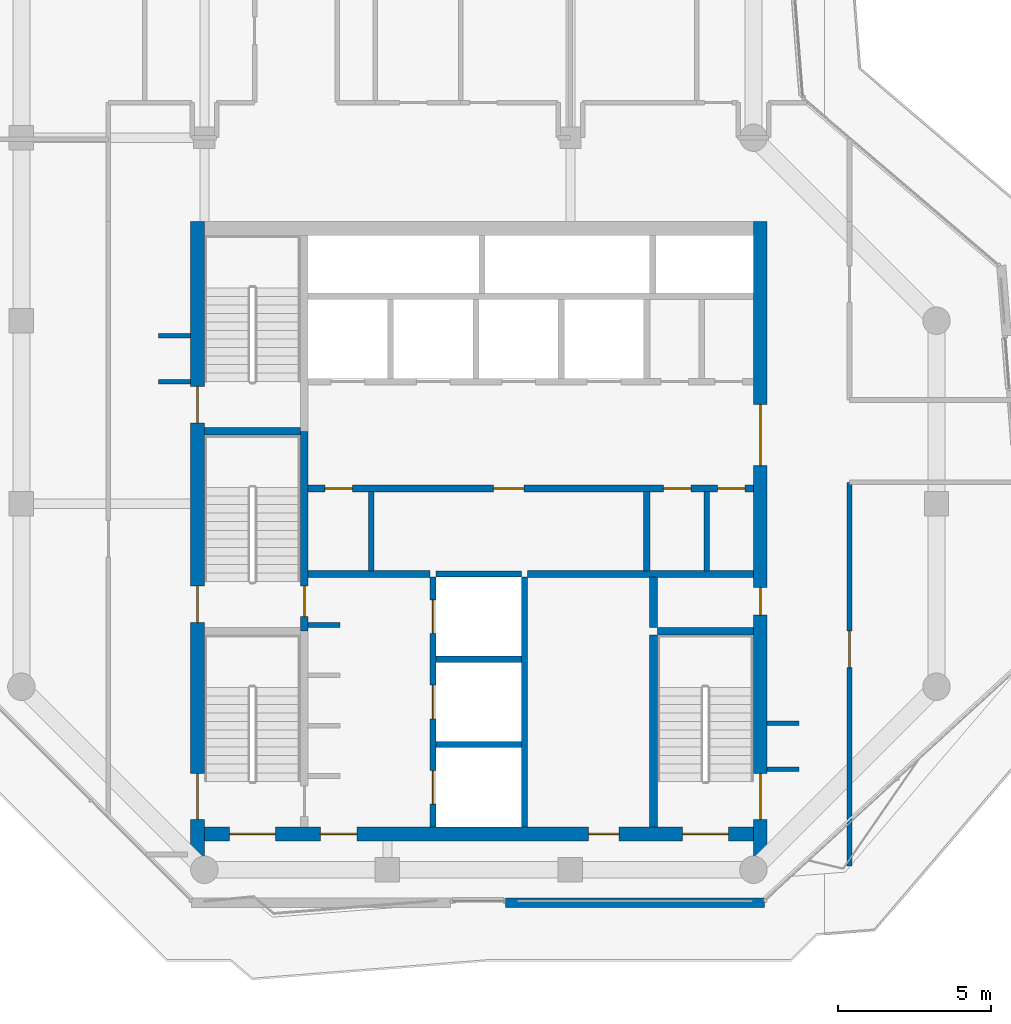
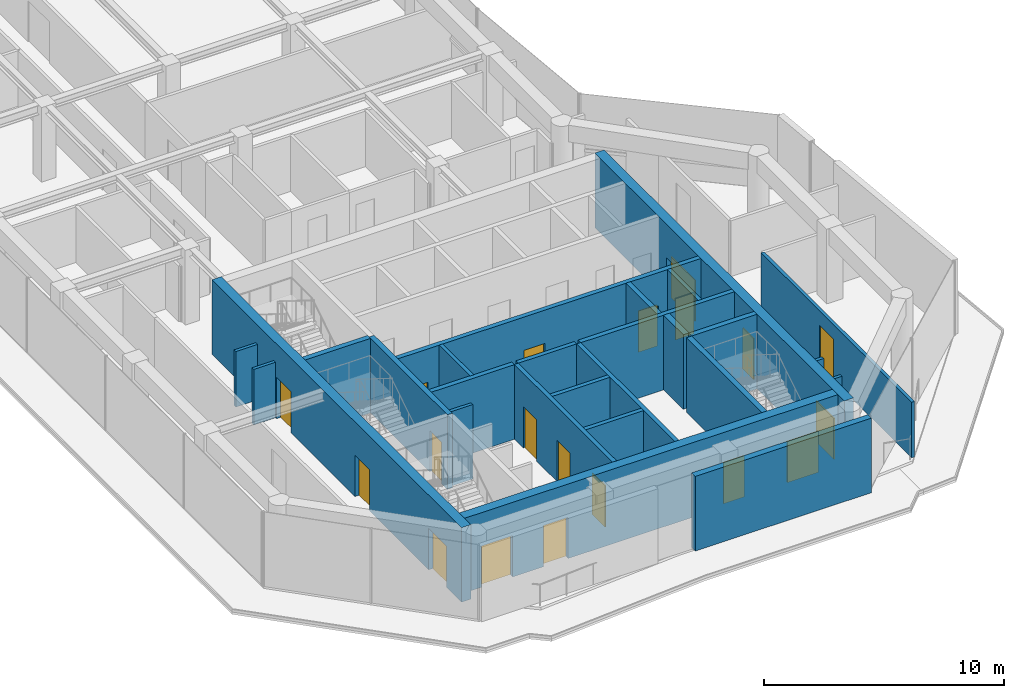
# One storey, part 19 of 23: 26 walls, 19 doors, 19 openings.
"""IFC4 building model written with IfcOpenShell, lengths in metres."""

from ifc_helpers import new_model, si_unit, direction, frame, frame_2d, origin, place, context, subcontext, project, spatial, rectangle, extrude, material, layer, layer_set, type_object, element, fill, save


model = new_model("IFC4")

# Units and contexts
model_context = context("Model", 3, precision=1e-05, world=origin(), true_north=direction((0.0, 1.0)))
body_context = subcontext(model_context, "Body", "Model", "MODEL_VIEW")
ifc_project = project(units=[si_unit("LENGTHUNIT", "METRE"), si_unit("AREAUNIT", "SQUARE_METRE"), si_unit("VOLUMEUNIT", "CUBIC_METRE"), si_unit("PLANEANGLEUNIT", "RADIAN"), si_unit("MASSUNIT", "GRAM", prefix="KILO")], contexts=[model_context])

# Site, building, storey
site_placement = place(None, origin())
site = spatial("IfcSite", under=ifc_project, at=site_placement, CompositionType="ELEMENT")
building_placement = place(site_placement, origin())
building = spatial("IfcBuilding", under=site, at=building_placement, Name="Welwitschia Terrace Campus", CompositionType="ELEMENT")
storey_placement = place(building_placement, frame((0.0, 0.0, 209.60009765625)))
storey = spatial("IfcBuildingStorey", under=building, at=storey_placement, Name="L46", CompositionType="ELEMENT", Elevation=209.60009765625)

# Walls
ifc_material_1 = material(Name="Concrete C32/40", Category="concrete")
ifc_layer_1 = layer(ifc_material_1, 0.175048828125)
ifc_layer_set_1 = layer_set([ifc_layer_1], Name="Concrete C32/40")
wall_type_1 = type_object("IfcWallType", Name="Core partition 175 Concrete C32/40", PredefinedType="PARTITIONING", material=ifc_layer_set_1)
for number, where, z_axis, x_axis, name in (
    (1, (11.47509765625, 13.800048828125, 0.0), (0.0, 0.0, 1.0), (0.0, 1.0, 0.0), "Core partition"),
    (2, (22.469970703125, 13.800048828125, 0.0), (0.0, 0.0, 1.0), (0.0, 1.0, 0.0), "Core partition"),
):
    element("IfcWall", number, at=place(storey_placement, frame(where, z_axis=z_axis, x_axis=x_axis)), inside=storey, type_object=wall_type_1, Name=name, PredefinedType="PARTITIONING", context=body_context, shape_type="SweptSolid", body=[
        extrude(rectangle(XDim=2.599853515625, YDim=0.175048828125, at=frame_2d((1.2998046875, 0.0))), origin(), (0.0, 0.0, 1.0), 3.7998046875),
    ])
ifc_material_2 = material(Name="Concrete C32/40", Category="concrete")
ifc_layer_2 = layer(ifc_material_2, 0.22509765625)
ifc_layer_set_2 = layer_set([ifc_layer_2], Name="Concrete C32/40")
wall_type_2 = type_object("IfcWallType", Name="Core partition 225 Concrete C32/40", PredefinedType="PARTITIONING", material=ifc_layer_set_2)
wall_1_placement = place(storey_placement, frame((9.39990234375, 13.699951171875, 0.0), z_axis=(0.0, 0.0, 1.0), x_axis=(1.0, 0.0, 0.0)))
element("IfcWall", 3, at=wall_1_placement, inside=storey, type_object=wall_type_2, Name="Core partition", PredefinedType="PARTITIONING", context=body_context, shape_type="SweptSolid", body=[
    extrude(rectangle(XDim=4.0, YDim=0.22509765625, at=frame_2d((2.0, 0.0))), origin(), (0.0, 0.0, 1.0), 3.7998046875),
])
wall_2_placement = place(storey_placement, frame((16.60009765625, 13.699951171875, 0.0), z_axis=(0.0, 0.0, 1.0), x_axis=(1.0, 0.0, 0.0)))
element("IfcWall", 4, at=wall_2_placement, inside=storey, type_object=wall_type_2, Name="Core partition", PredefinedType="PARTITIONING", context=body_context, shape_type="SweptSolid", body=[
    extrude(rectangle(XDim=7.39990234375, YDim=0.22509765625, at=frame_2d((3.699951171875, 0.0))), origin(), (0.0, 0.0, 1.0), 3.7998046875),
])

# Wall, openings, doors
wall_3_placement = place(storey_placement, frame((9.39990234375, 16.5, 0.0), z_axis=(0.0, 0.0, 1.0), x_axis=(1.0, 0.0, 0.0)))
wall_3 = element("IfcWall", 5, at=wall_3_placement, inside=storey, type_object=wall_type_2, Name="Core partition", PredefinedType="PARTITIONING", context=body_context, shape_type="SweptSolid", body=[
    extrude(rectangle(XDim=14.60009765625, YDim=0.22509765625, at=frame_2d((7.300048828125, 0.0))), origin(), (0.0, 0.0, 1.0), 3.7998046875),
])
opening_1_placement = place(wall_3_placement, frame((0.550048828125, 0.0, 0.0)))
opening_1 = element("IfcOpeningElement", 6, at=opening_1_placement, cuts=wall_3, Name="Opening DR09", PredefinedType="OPENING", context=body_context, shape_type="SweptSolid", body=[
    extrude(rectangle(XDim=0.89990234375, YDim=2.10009765625, at=frame_2d((0.449951171875, 1.050048828125))), frame((0.0, 0.12255859375, 0.0), z_axis=(0.0, -1.0, 0.0), x_axis=(1.0, 0.0, 0.0)), (0.0, 0.0, 1.0), 0.2451171875),
])
opening_2_placement = place(wall_3_placement, frame((6.074951171875, 0.0, 0.0)))
opening_2 = element("IfcOpeningElement", 7, at=opening_2_placement, cuts=wall_3, Name="Opening DR10", PredefinedType="OPENING", context=body_context, shape_type="SweptSolid", body=[
    extrude(rectangle(XDim=1.0, YDim=2.10009765625, at=frame_2d((0.5, 1.050048828125))), frame((0.0, 0.12255859375, 0.0), z_axis=(0.0, -1.0, 0.0), x_axis=(1.0, 0.0, 0.0)), (0.0, 0.0, 1.0), 0.2451171875),
])
opening_3_placement = place(wall_3_placement, frame((11.6474609375, 0.0, 0.0)))
opening_3 = element("IfcOpeningElement", 8, at=opening_3_placement, cuts=wall_3, Name="Opening DR09", PredefinedType="OPENING", context=body_context, shape_type="SweptSolid", body=[
    extrude(rectangle(XDim=0.89990234375, YDim=2.10009765625, at=frame_2d((0.449951171875, 1.050048828125))), frame((0.0, 0.12255859375, 0.0), z_axis=(0.0, -1.0, 0.0), x_axis=(1.0, 0.0, 0.0)), (0.0, 0.0, 1.0), 0.2451171875),
])
opening_4_placement = place(wall_3_placement, frame((13.422607421875, 0.0, 0.0)))
opening_4 = element("IfcOpeningElement", 9, at=opening_4_placement, cuts=wall_3, Name="Opening DR09", PredefinedType="OPENING", context=body_context, shape_type="SweptSolid", body=[
    extrude(rectangle(XDim=0.89990234375, YDim=2.10009765625, at=frame_2d((0.449951171875, 1.050048828125))), frame((0.0, 0.12255859375, 0.0), z_axis=(0.0, -1.0, 0.0), x_axis=(1.0, 0.0, 0.0)), (0.0, 0.0, 1.0), 0.2451171875),
])
ifc_material_3 = material(Name="Steel S275", Category="steel")
door_type_1 = type_object("IfcDoorType", Name="Core door DR09", OperationType="SINGLE_SWING_LEFT", PredefinedType="DOOR", material=ifc_material_3)
door_1_placement = place(opening_1_placement, origin())
door_1 = element("IfcDoor", 10, at=door_1_placement, inside=storey, type_object=door_type_1, Name="Door BAYL1-D", OperationType="SINGLE_SWING_LEFT", OverallHeight=2.10009765625, OverallWidth=0.89990234375, PredefinedType="DOOR", context=body_context, shape_type="SweptSolid", body=[
    extrude(rectangle(XDim=0.89990234375, YDim=2.10009765625, at=frame_2d((0.449951171875, 1.050048828125))), frame((0.0, 0.02490234375, 0.0), z_axis=(0.0, -1.0, 0.0), x_axis=(1.0, 0.0, 0.0)), (0.0, 0.0, 1.0), 0.050048828125),
])
fill(opening_1, door_1)
door_2_placement = place(opening_3_placement, origin())
door_2 = element("IfcDoor", 11, at=door_2_placement, inside=storey, type_object=door_type_1, Name="Door EL1-D", OperationType="SINGLE_SWING_RIGHT", OverallHeight=2.10009765625, OverallWidth=0.89990234375, PredefinedType="DOOR", context=body_context, shape_type="SweptSolid", body=[
    extrude(rectangle(XDim=0.89990234375, YDim=2.10009765625, at=frame_2d((0.449951171875, 1.050048828125))), frame((0.0, 0.02490234375, 0.0), z_axis=(0.0, -1.0, 0.0), x_axis=(1.0, 0.0, 0.0)), (0.0, 0.0, 1.0), 0.050048828125),
])
fill(opening_3, door_2)
door_3_placement = place(opening_4_placement, origin())
door_3 = element("IfcDoor", 12, at=door_3_placement, inside=storey, type_object=door_type_1, Name="Door EL2-D", OperationType="SINGLE_SWING_RIGHT", OverallHeight=2.10009765625, OverallWidth=0.89990234375, PredefinedType="DOOR", context=body_context, shape_type="SweptSolid", body=[
    extrude(rectangle(XDim=0.89990234375, YDim=2.10009765625, at=frame_2d((0.449951171875, 1.050048828125))), frame((0.0, 0.02490234375, 0.0), z_axis=(0.0, -1.0, 0.0), x_axis=(1.0, 0.0, 0.0)), (0.0, 0.0, 1.0), 0.050048828125),
])
fill(opening_4, door_3)
ifc_material_4 = material(Name="Steel S275", Category="steel")
door_type_2 = type_object("IfcDoorType", Name="Core door DR10", OperationType="SINGLE_SWING_LEFT", PredefinedType="DOOR", material=ifc_material_4)
door_4_placement = place(opening_2_placement, origin())
door_4 = element("IfcDoor", 13, at=door_4_placement, inside=storey, type_object=door_type_2, Name="Door BAYL2-D", OperationType="SINGLE_SWING_LEFT", OverallHeight=2.10009765625, OverallWidth=1.0, PredefinedType="DOOR", context=body_context, shape_type="SweptSolid", body=[
    extrude(rectangle(XDim=1.0, YDim=2.10009765625, at=frame_2d((0.5, 1.050048828125))), frame((0.0, 0.02490234375, 0.0), z_axis=(0.0, -1.0, 0.0), x_axis=(1.0, 0.0, 0.0)), (0.0, 0.0, 1.0), 0.050048828125),
])
fill(opening_2, door_4)

# Walls
wall_4_placement = place(storey_placement, frame((20.5, 13.800048828125, 0.0), z_axis=(0.0, 0.0, 1.0), x_axis=(0.0, 1.0, 0.0)))
element("IfcWall", 14, at=wall_4_placement, inside=storey, type_object=wall_type_2, Name="Core partition", PredefinedType="PARTITIONING", context=body_context, shape_type="SweptSolid", body=[
    extrude(rectangle(XDim=2.599853515625, YDim=0.22509765625, at=frame_2d((1.2998046875, 0.0))), origin(), (0.0, 0.0, 1.0), 3.7998046875),
])
ifc_material_5 = material(Name="Concrete C32/40", Category="concrete")
ifc_layer_3 = layer(ifc_material_5, 0.27490234375)
ifc_layer_set_3 = layer_set([ifc_layer_3], Name="Concrete C32/40")
wall_type_3 = type_object("IfcWallType", Name="Core partition 275 Concrete C32/40", PredefinedType="PARTITIONING", material=ifc_layer_set_3)
wall_5_placement = place(storey_placement, frame((20.72509765625, 11.949951171875, 0.0), z_axis=(0.0, 0.0, 1.0), x_axis=(0.0, 1.0, 0.0)))
element("IfcWall", 15, at=wall_5_placement, inside=storey, type_object=wall_type_3, Name="Core partition", PredefinedType="PARTITIONING", context=body_context, shape_type="SweptSolid", body=[
    extrude(rectangle(XDim=1.650146484375, YDim=0.27490234375, at=frame_2d((0.8251953125, 0.0))), origin(), (0.0, 0.0, 1.0), 3.7998046875),
])
ifc_material_6 = material(Name="Concrete C50/60", Category="concrete")
ifc_layer_4 = layer(ifc_material_6, 0.14990234375)
ifc_layer_set_4 = layer_set([ifc_layer_4], Name="Concrete C50/60")
wall_type_4 = type_object("IfcWallType", Name="Core wall 150 Concrete C50/60", PredefinedType="SHEAR", material=ifc_layer_set_4)
wall_6_placement = place(storey_placement, frame((9.39990234375, 12.02490234375, 0.0), z_axis=(0.0, 0.0, 1.0), x_axis=(1.0, 0.0, 0.0)))
element("IfcWall", 16, at=wall_6_placement, inside=storey, type_object=wall_type_4, Name="Core wall", PredefinedType="SHEAR", context=body_context, shape_type="SweptSolid", body=[
    extrude(rectangle(XDim=1.050048828125, YDim=0.14990234375, at=frame_2d((0.52490234375, 0.0))), origin(), (0.0, 0.0, 1.0), 3.7998046875),
])
ifc_material_7 = material(Name="Concrete C50/60", Category="concrete")
ifc_layer_5 = layer(ifc_material_7, 0.199951171875)
ifc_layer_set_5 = layer_set([ifc_layer_5], Name="Concrete C50/60")
wall_type_5 = type_object("IfcWallType", Name="Core wall 200 Concrete C50/60", PredefinedType="SHEAR", material=ifc_layer_set_5)
for number, where, z_axis, x_axis, name in (
    (17, (13.60009765625, 8.10009765625, 0.0), (0.0, 0.0, 1.0), (1.0, 0.0, 0.0), "Core wall"),
    (18, (13.60009765625, 10.89990234375, 0.0), (0.0, 0.0, 1.0), (1.0, 0.0, 0.0), "Core wall"),
    (19, (13.60009765625, 13.699951171875, 0.0), (0.0, 0.0, 1.0), (1.0, 0.0, 0.0), "Core wall"),
):
    element("IfcWall", number, at=place(storey_placement, frame(where, z_axis=z_axis, x_axis=x_axis)), inside=storey, type_object=wall_type_5, Name=name, PredefinedType="SHEAR", context=body_context, shape_type="SweptSolid", body=[
        extrude(rectangle(XDim=2.7998046875, YDim=0.199951171875, at=frame_2d((1.39990234375, 0.0))), origin(), (0.0, 0.0, 1.0), 3.7998046875),
    ])

# Wall, openings, doors
wall_7_placement = place(storey_placement, frame((13.5, 5.39990234375, 0.0), z_axis=(0.0, 0.0, 1.0), x_axis=(0.0, 1.0, 0.0)))
wall_7 = element("IfcWall", 20, at=wall_7_placement, inside=storey, type_object=wall_type_5, Name="Core wall", PredefinedType="SHEAR", context=body_context, shape_type="SweptSolid", body=[
    extrude(rectangle(XDim=8.2001953125, YDim=0.199951171875, at=frame_2d((4.10009765625, 0.0))), origin(), (0.0, 0.0, 1.0), 3.7998046875),
])
opening_5_placement = place(wall_7_placement, frame((0.75, 0.0, 0.0)))
opening_5 = element("IfcOpeningElement", 21, at=opening_5_placement, cuts=wall_7, Name="Opening LD", PredefinedType="OPENING", context=body_context, shape_type="SweptSolid", body=[
    extrude(rectangle(XDim=1.10009765625, YDim=2.10009765625, at=frame_2d((0.550048828125, 1.050048828125))), frame((0.0, 0.10986328125, 0.0), z_axis=(0.0, -1.0, 0.0), x_axis=(1.0, 0.0, 0.0)), (0.0, 0.0, 1.0), 0.219970703125),
])
opening_6_placement = place(wall_7_placement, frame((3.550048828125, 0.0, 0.0)))
opening_6 = element("IfcOpeningElement", 22, at=opening_6_placement, cuts=wall_7, Name="Opening LD", PredefinedType="OPENING", context=body_context, shape_type="SweptSolid", body=[
    extrude(rectangle(XDim=1.10009765625, YDim=2.10009765625, at=frame_2d((0.550048828125, 1.050048828125))), frame((0.0, 0.10986328125, 0.0), z_axis=(0.0, -1.0, 0.0), x_axis=(1.0, 0.0, 0.0)), (0.0, 0.0, 1.0), 0.219970703125),
])
opening_7_placement = place(wall_7_placement, frame((6.35009765625, 0.0, 0.0)))
opening_7 = element("IfcOpeningElement", 23, at=opening_7_placement, cuts=wall_7, Name="Opening LD", PredefinedType="OPENING", context=body_context, shape_type="SweptSolid", body=[
    extrude(rectangle(XDim=1.10009765625, YDim=2.10009765625, at=frame_2d((0.550048828125, 1.050048828125))), frame((0.0, 0.10986328125, 0.0), z_axis=(0.0, -1.0, 0.0), x_axis=(1.0, 0.0, 0.0)), (0.0, 0.0, 1.0), 0.219970703125),
])
ifc_material_8 = material(Name="Stainless steel 304", Category="steel")
door_type_3 = type_object("IfcDoorType", Name="Lift landing door", OperationType="DOUBLE_DOOR_SLIDING", PredefinedType="DOOR", material=ifc_material_8)
door_5_placement = place(opening_5_placement, origin())
door_5 = element("IfcDoor", 24, at=door_5_placement, inside=storey, type_object=door_type_3, Name="Landing door FF1", OperationType="DOUBLE_DOOR_SLIDING", OverallHeight=2.10009765625, OverallWidth=1.10009765625, PredefinedType="DOOR", context=body_context, shape_type="SweptSolid", body=[
    extrude(rectangle(XDim=1.10009765625, YDim=2.10009765625, at=frame_2d((0.550048828125, 1.050048828125))), frame((0.0, 0.02490234375, 0.0), z_axis=(0.0, -1.0, 0.0), x_axis=(1.0, 0.0, 0.0)), (0.0, 0.0, 1.0), 0.050048828125),
])
fill(opening_5, door_5)
door_6_placement = place(opening_6_placement, origin())
door_6 = element("IfcDoor", 25, at=door_6_placement, inside=storey, type_object=door_type_3, Name="Landing door FF2", OperationType="DOUBLE_DOOR_SLIDING", OverallHeight=2.10009765625, OverallWidth=1.10009765625, PredefinedType="DOOR", context=body_context, shape_type="SweptSolid", body=[
    extrude(rectangle(XDim=1.10009765625, YDim=2.10009765625, at=frame_2d((0.550048828125, 1.050048828125))), frame((0.0, 0.02490234375, 0.0), z_axis=(0.0, -1.0, 0.0), x_axis=(1.0, 0.0, 0.0)), (0.0, 0.0, 1.0), 0.050048828125),
])
fill(opening_6, door_6)
door_7_placement = place(opening_7_placement, origin())
door_7 = element("IfcDoor", 26, at=door_7_placement, inside=storey, type_object=door_type_3, Name="Landing door SV1", OperationType="DOUBLE_DOOR_SLIDING", OverallHeight=2.10009765625, OverallWidth=1.10009765625, PredefinedType="DOOR", context=body_context, shape_type="SweptSolid", body=[
    extrude(rectangle(XDim=1.10009765625, YDim=2.10009765625, at=frame_2d((0.550048828125, 1.050048828125))), frame((0.0, 0.02490234375, 0.0), z_axis=(0.0, -1.0, 0.0), x_axis=(1.0, 0.0, 0.0)), (0.0, 0.0, 1.0), 0.050048828125),
])
fill(opening_7, door_7)

# Walls
wall_8_placement = place(storey_placement, frame((16.5, 5.39990234375, 0.0), z_axis=(0.0, 0.0, 1.0), x_axis=(0.0, 1.0, 0.0)))
element("IfcWall", 27, at=wall_8_placement, inside=storey, type_object=wall_type_5, Name="Core wall", PredefinedType="SHEAR", context=body_context, shape_type="SweptSolid", body=[
    extrude(rectangle(XDim=8.2001953125, YDim=0.199951171875, at=frame_2d((4.10009765625, 0.0))), origin(), (0.0, 0.0, 1.0), 3.7998046875),
])
ifc_material_9 = material(Name="Concrete C50/60", Category="concrete")
ifc_layer_6 = layer(ifc_material_9, 0.25)
ifc_layer_set_6 = layer_set([ifc_layer_6], Name="Concrete C50/60")
wall_type_6 = type_object("IfcWallType", Name="Core wall 250 Concrete C50/60", PredefinedType="SHEAR", material=ifc_layer_set_6)
for number, where, z_axis, x_axis, name in (
    (28, (20.85009765625, 11.824951171875, 0.0), (0.0, 0.0, 1.0), (1.0, 0.0, 0.0), "Core wall"),
    (29, (6.0, 18.375, 0.0), (0.0, 0.0, 1.0), (1.0, 0.0, 0.0), "Core wall"),
):
    element("IfcWall", number, at=place(storey_placement, frame(where, z_axis=z_axis, x_axis=x_axis)), inside=storey, type_object=wall_type_6, Name=name, PredefinedType="SHEAR", context=body_context, shape_type="SweptSolid", body=[
        extrude(rectangle(XDim=3.14990234375, YDim=0.25, at=frame_2d((1.574951171875, 0.0))), origin(), (0.0, 0.0, 1.0), 3.7998046875),
    ])

# Wall, opening, door
wall_9_placement = place(storey_placement, frame((9.27490234375, 18.375, 0.0), z_axis=(0.0, 0.0, 1.0), x_axis=(0.0, -1.0, 0.0)))
wall_9 = element("IfcWall", 30, at=wall_9_placement, inside=storey, type_object=wall_type_6, Name="Core wall", PredefinedType="SHEAR", context=body_context, shape_type="SweptSolid", body=[
    extrude(rectangle(XDim=6.550048828125, YDim=0.25, at=frame_2d((3.27490234375, 0.0))), origin(), (0.0, 0.0, 1.0), 3.7998046875),
])
opening_8_placement = place(wall_9_placement, frame((5.074951171875, 0.0, 0.0)))
opening_8 = element("IfcOpeningElement", 31, at=opening_8_placement, cuts=wall_9, Name="Opening DS10", PredefinedType="OPENING", context=body_context, shape_type="SweptSolid", body=[
    extrude(rectangle(XDim=1.0, YDim=2.10009765625, at=frame_2d((0.5, 1.050048828125))), frame((0.0, 0.135009765625, 0.0), z_axis=(0.0, -1.0, 0.0), x_axis=(1.0, 0.0, 0.0)), (0.0, 0.0, 1.0), 0.27001953125),
])
ifc_material_10 = material(Name="Steel S275", Category="steel")
door_type_4 = type_object("IfcDoorType", Name="Core door DS10", OperationType="SINGLE_SWING_LEFT", PredefinedType="DOOR", material=ifc_material_10)
door_8_placement = place(opening_8_placement, origin())
door_8 = element("IfcDoor", 32, at=door_8_placement, inside=storey, type_object=door_type_4, Name="Door S3-FL", OperationType="SINGLE_SWING_RIGHT", OverallHeight=2.10009765625, OverallWidth=1.0, PredefinedType="DOOR", context=body_context, shape_type="SweptSolid", body=[
    extrude(rectangle(XDim=1.0, YDim=2.10009765625, at=frame_2d((0.5, 1.050048828125))), frame((0.0, 0.02490234375, 0.0), z_axis=(0.0, -1.0, 0.0), x_axis=(1.0, 0.0, 0.0)), (0.0, 0.0, 1.0), 0.050048828125),
])
fill(opening_8, door_8)

# Wall
wall_10_placement = place(storey_placement, frame((20.72509765625, 5.39990234375, 0.0), z_axis=(0.0, 0.0, 1.0), x_axis=(0.0, 1.0, 0.0)))
element("IfcWall", 33, at=wall_10_placement, inside=storey, type_object=wall_type_6, Name="Core wall", PredefinedType="SHEAR", context=body_context, shape_type="SweptSolid", body=[
    extrude(rectangle(XDim=6.300048828125, YDim=0.25, at=frame_2d((3.14990234375, 0.0))), origin(), (0.0, 0.0, 1.0), 3.7998046875),
])

# Wall, openings, doors
ifc_material_11 = material(Name="Concrete C60/75", Category="concrete")
ifc_layer_7 = layer(ifc_material_11, 0.449951171875)
ifc_layer_set_7 = layer_set([ifc_layer_7], Name="Concrete C60/75")
wall_type_7 = type_object("IfcWallType", Name="Core wall 450 Concrete C60/75", PredefinedType="SHEAR", material=ifc_layer_set_7)
wall_11_placement = place(storey_placement, frame((5.77490234375, 4.419921875, 0.0), z_axis=(0.0, 0.0, 1.0), x_axis=(0.0, 1.0, 0.0)))
wall_11 = element("IfcWall", 34, at=wall_11_placement, inside=storey, type_object=wall_type_7, Name="Core outer wall", PredefinedType="SHEAR", context=body_context, shape_type="SweptSolid", body=[
    extrude(rectangle(XDim=20.830078125, YDim=0.449951171875, at=frame_2d((10.4150390625, 0.0))), origin(), (0.0, 0.0, 1.0), 3.7998046875),
])
opening_9_placement = place(wall_11_placement, frame((1.22998046875, 0.0, 0.0)))
opening_9 = element("IfcOpeningElement", 35, at=opening_9_placement, cuts=wall_11, Name="Opening DS15", PredefinedType="OPENING", context=body_context, shape_type="SweptSolid", body=[
    extrude(rectangle(XDim=1.5, YDim=2.10009765625, at=frame_2d((0.75, 1.050048828125))), frame((0.0, 0.23486328125, 0.0), z_axis=(0.0, -1.0, 0.0), x_axis=(1.0, 0.0, 0.0)), (0.0, 0.0, 1.0), 0.469970703125),
])
opening_10_placement = place(wall_11_placement, frame((7.679931640625, 0.0, 0.0)))
opening_10 = element("IfcOpeningElement", 36, at=opening_10_placement, cuts=wall_11, Name="Opening DS12", PredefinedType="OPENING", context=body_context, shape_type="SweptSolid", body=[
    extrude(rectangle(XDim=1.199951171875, YDim=2.10009765625, at=frame_2d((0.60009765625, 1.050048828125))), frame((0.0, 0.23486328125, 0.0), z_axis=(0.0, -1.0, 0.0), x_axis=(1.0, 0.0, 0.0)), (0.0, 0.0, 1.0), 0.469970703125),
])
opening_11_placement = place(wall_11_placement, frame((14.22998046875, 0.0, 0.0)))
opening_11 = element("IfcOpeningElement", 37, at=opening_11_placement, cuts=wall_11, Name="Opening DS12", PredefinedType="OPENING", context=body_context, shape_type="SweptSolid", body=[
    extrude(rectangle(XDim=1.199951171875, YDim=2.10009765625, at=frame_2d((0.60009765625, 1.050048828125))), frame((0.0, 0.23486328125, 0.0), z_axis=(0.0, -1.0, 0.0), x_axis=(1.0, 0.0, 0.0)), (0.0, 0.0, 1.0), 0.469970703125),
])
ifc_material_12 = material(Name="Steel S275", Category="steel")
door_type_5 = type_object("IfcDoorType", Name="Core door DS12", OperationType="SINGLE_SWING_LEFT", PredefinedType="DOOR", material=ifc_material_12)
door_9_placement = place(opening_10_placement, origin())
door_9 = element("IfcDoor", 38, at=door_9_placement, inside=storey, type_object=door_type_5, Name="Door S3-out", OperationType="SINGLE_SWING_LEFT", OverallHeight=2.10009765625, OverallWidth=1.199951171875, PredefinedType="DOOR", context=body_context, shape_type="SweptSolid", body=[
    extrude(rectangle(XDim=1.199951171875, YDim=2.10009765625, at=frame_2d((0.60009765625, 1.050048828125))), frame((0.0, 0.02490234375, 0.0), z_axis=(0.0, -1.0, 0.0), x_axis=(1.0, 0.0, 0.0)), (0.0, 0.0, 1.0), 0.050048828125),
])
fill(opening_10, door_9)
door_10_placement = place(opening_11_placement, origin())
door_10 = element("IfcDoor", 39, at=door_10_placement, inside=storey, type_object=door_type_5, Name="Door S4-out", OperationType="SINGLE_SWING_RIGHT", OverallHeight=2.10009765625, OverallWidth=1.199951171875, PredefinedType="DOOR", context=body_context, shape_type="SweptSolid", body=[
    extrude(rectangle(XDim=1.199951171875, YDim=2.10009765625, at=frame_2d((0.60009765625, 1.050048828125))), frame((0.0, 0.02490234375, 0.0), z_axis=(0.0, -1.0, 0.0), x_axis=(1.0, 0.0, 0.0)), (0.0, 0.0, 1.0), 0.050048828125),
])
fill(opening_11, door_10)
ifc_material_13 = material(Name="Steel S275", Category="steel")
door_type_6 = type_object("IfcDoorType", Name="Core door DS15", OperationType="DOUBLE_DOOR_SINGLE_SWING", PredefinedType="DOOR", material=ifc_material_13)
door_11_placement = place(opening_9_placement, origin())
door_11 = element("IfcDoor", 40, at=door_11_placement, inside=storey, type_object=door_type_6, Name="Door S1-out", OperationType="DOUBLE_DOOR_SINGLE_SWING", OverallHeight=2.10009765625, OverallWidth=1.5, PredefinedType="DOOR", context=body_context, shape_type="SweptSolid", body=[
    extrude(rectangle(XDim=1.5, YDim=2.10009765625, at=frame_2d((0.75, 1.050048828125))), frame((0.0, 0.02490234375, 0.0), z_axis=(0.0, -1.0, 0.0), x_axis=(1.0, 0.0, 0.0)), (0.0, 0.0, 1.0), 0.050048828125),
])
fill(opening_9, door_11)

wall_12_placement = place(storey_placement, frame((24.22509765625, 25.25, 0.0), z_axis=(0.0, 0.0, 1.0), x_axis=(0.0, -1.0, 0.0)))
wall_12 = element("IfcWall", 41, at=wall_12_placement, inside=storey, type_object=wall_type_7, Name="Core outer wall", PredefinedType="SHEAR", context=body_context, shape_type="SweptSolid", body=[
    extrude(rectangle(XDim=20.830078125, YDim=0.449951171875, at=frame_2d((10.4150390625, 0.0))), origin(), (0.0, 0.0, 1.0), 3.7998046875),
])
opening_12_placement = place(wall_12_placement, frame((18.10009765625, 0.0, 0.0)))
opening_12 = element("IfcOpeningElement", 42, at=opening_12_placement, cuts=wall_12, Name="Opening DS15", PredefinedType="OPENING", context=body_context, shape_type="SweptSolid", body=[
    extrude(rectangle(XDim=1.5, YDim=2.10009765625, at=frame_2d((0.75, 1.050048828125))), frame((0.0, 0.23486328125, 0.0), z_axis=(0.0, -1.0, 0.0), x_axis=(1.0, 0.0, 0.0)), (0.0, 0.0, 1.0), 0.469970703125),
])
opening_13_placement = place(wall_12_placement, frame((12.0, 0.0, 0.0)))
opening_13 = element("IfcOpeningElement", 43, at=opening_13_placement, cuts=wall_12, Name="Opening DR09", PredefinedType="OPENING", context=body_context, shape_type="SweptSolid", body=[
    extrude(rectangle(XDim=0.89990234375, YDim=2.10009765625, at=frame_2d((0.449951171875, 1.050048828125))), frame((0.0, 0.23486328125, 0.0), z_axis=(0.0, -1.0, 0.0), x_axis=(1.0, 0.0, 0.0)), (0.0, 0.0, 1.0), 0.469970703125),
])
opening_14_placement = place(wall_12_placement, frame((6.0, 0.0, 0.0)))
opening_14 = element("IfcOpeningElement", 44, at=opening_14_placement, cuts=wall_12, Name="Opening DL20", PredefinedType="OPENING", context=body_context, shape_type="SweptSolid", body=[
    extrude(rectangle(XDim=2.0, YDim=2.10009765625, at=frame_2d((1.0, 1.050048828125))), frame((0.0, 0.23486328125, 0.0), z_axis=(0.0, -1.0, 0.0), x_axis=(1.0, 0.0, 0.0)), (0.0, 0.0, 1.0), 0.469970703125),
])
ifc_material_14 = material(Name="Steel S275", Category="steel")
door_type_7 = type_object("IfcDoorType", Name="Core door DL20", OperationType="DOUBLE_DOOR_SINGLE_SWING", PredefinedType="DOOR", material=ifc_material_14)
door_12_placement = place(opening_14_placement, origin())
door_12 = element("IfcDoor", 45, at=door_12_placement, inside=storey, type_object=door_type_7, Name="Door LOBBY-out", OperationType="DOUBLE_DOOR_SINGLE_SWING", OverallHeight=2.10009765625, OverallWidth=2.0, PredefinedType="DOOR", context=body_context, shape_type="SweptSolid", body=[
    extrude(rectangle(XDim=2.0, YDim=2.10009765625, at=frame_2d((1.0, 1.050048828125))), frame((0.0, 0.02490234375, 0.0), z_axis=(0.0, -1.0, 0.0), x_axis=(1.0, 0.0, 0.0)), (0.0, 0.0, 1.0), 0.050048828125),
])
fill(opening_14, door_12)
door_13_placement = place(opening_13_placement, origin())
door_13 = element("IfcDoor", 46, at=door_13_placement, inside=storey, type_object=door_type_1, Name="Door F1B-out", OperationType="SINGLE_SWING_RIGHT", OverallHeight=2.10009765625, OverallWidth=0.89990234375, PredefinedType="DOOR", context=body_context, shape_type="SweptSolid", body=[
    extrude(rectangle(XDim=0.89990234375, YDim=2.10009765625, at=frame_2d((0.449951171875, 1.050048828125))), frame((0.0, 0.02490234375, 0.0), z_axis=(0.0, -1.0, 0.0), x_axis=(1.0, 0.0, 0.0)), (0.0, 0.0, 1.0), 0.050048828125),
])
fill(opening_13, door_13)
door_14_placement = place(opening_12_placement, origin())
door_14 = element("IfcDoor", 47, at=door_14_placement, inside=storey, type_object=door_type_6, Name="Door S2-out", OperationType="DOUBLE_DOOR_SINGLE_SWING", OverallHeight=2.10009765625, OverallWidth=1.5, PredefinedType="DOOR", context=body_context, shape_type="SweptSolid", body=[
    extrude(rectangle(XDim=1.5, YDim=2.10009765625, at=frame_2d((0.75, 1.050048828125))), frame((0.0, 0.02490234375, 0.0), z_axis=(0.0, -1.0, 0.0), x_axis=(1.0, 0.0, 0.0)), (0.0, 0.0, 1.0), 0.050048828125),
])
fill(opening_12, door_14)

wall_13_placement = place(storey_placement, frame((24.0, 5.175048828125, 0.0), z_axis=(0.0, 0.0, 1.0), x_axis=(-1.0, 0.0, 0.0)))
wall_13 = element("IfcWall", 48, at=wall_13_placement, inside=storey, type_object=wall_type_7, Name="Core outer wall", PredefinedType="SHEAR", context=body_context, shape_type="SweptSolid", body=[
    extrude(rectangle(XDim=18.0, YDim=0.449951171875, at=frame_2d((9.0, 0.0))), origin(), (0.0, 0.0, 1.0), 3.7998046875),
])
opening_15_placement = place(wall_13_placement, frame((0.824951171875, 0.0, 0.0)))
opening_15 = element("IfcOpeningElement", 49, at=opening_15_placement, cuts=wall_13, Name="Opening DS15", PredefinedType="OPENING", context=body_context, shape_type="SweptSolid", body=[
    extrude(rectangle(XDim=1.5, YDim=2.10009765625, at=frame_2d((0.75, 1.050048828125))), frame((0.0, 0.23486328125, 0.0), z_axis=(0.0, -1.0, 0.0), x_axis=(1.0, 0.0, 0.0)), (0.0, 0.0, 1.0), 0.469970703125),
])
opening_16_placement = place(wall_13_placement, frame((15.675048828125, 0.0, 0.0)))
opening_16 = element("IfcOpeningElement", 50, at=opening_16_placement, cuts=wall_13, Name="Opening DS15", PredefinedType="OPENING", context=body_context, shape_type="SweptSolid", body=[
    extrude(rectangle(XDim=1.5, YDim=2.10009765625, at=frame_2d((0.75, 1.050048828125))), frame((0.0, 0.23486328125, 0.0), z_axis=(0.0, -1.0, 0.0), x_axis=(1.0, 0.0, 0.0)), (0.0, 0.0, 1.0), 0.469970703125),
])
opening_17_placement = place(wall_13_placement, frame((13.0, 0.0, 0.0)))
opening_17 = element("IfcOpeningElement", 51, at=opening_17_placement, cuts=wall_13, Name="Opening DF12", PredefinedType="OPENING", context=body_context, shape_type="SweptSolid", body=[
    extrude(rectangle(XDim=1.199951171875, YDim=2.10009765625, at=frame_2d((0.60009765625, 1.050048828125))), frame((0.0, 0.23486328125, 0.0), z_axis=(0.0, -1.0, 0.0), x_axis=(1.0, 0.0, 0.0)), (0.0, 0.0, 1.0), 0.469970703125),
])
opening_18_placement = place(wall_13_placement, frame((4.39990234375, 0.0, 0.0)))
opening_18 = element("IfcOpeningElement", 52, at=opening_18_placement, cuts=wall_13, Name="Opening DR10", PredefinedType="OPENING", context=body_context, shape_type="SweptSolid", body=[
    extrude(rectangle(XDim=1.0, YDim=2.10009765625, at=frame_2d((0.5, 1.050048828125))), frame((0.0, 0.23486328125, 0.0), z_axis=(0.0, -1.0, 0.0), x_axis=(1.0, 0.0, 0.0)), (0.0, 0.0, 1.0), 0.469970703125),
])
ifc_material_15 = material(Name="Steel S275", Category="steel")
door_type_8 = type_object("IfcDoorType", Name="Core door DF12", OperationType="SINGLE_SWING_LEFT", PredefinedType="DOOR", material=ifc_material_15)
door_15_placement = place(opening_17_placement, origin())
door_15 = element("IfcDoor", 53, at=door_15_placement, inside=storey, type_object=door_type_8, Name="Door FL-out", OperationType="SINGLE_SWING_RIGHT", OverallHeight=2.10009765625, OverallWidth=1.199951171875, PredefinedType="DOOR", context=body_context, shape_type="SweptSolid", body=[
    extrude(rectangle(XDim=1.199951171875, YDim=2.10009765625, at=frame_2d((0.60009765625, 1.050048828125))), frame((0.0, 0.02490234375, 0.0), z_axis=(0.0, -1.0, 0.0), x_axis=(1.0, 0.0, 0.0)), (0.0, 0.0, 1.0), 0.050048828125),
])
fill(opening_17, door_15)
door_16_placement = place(opening_18_placement, origin())
door_16 = element("IfcDoor", 54, at=door_16_placement, inside=storey, type_object=door_type_2, Name="Door F1-out", OperationType="SINGLE_SWING_LEFT", OverallHeight=2.10009765625, OverallWidth=1.0, PredefinedType="DOOR", context=body_context, shape_type="SweptSolid", body=[
    extrude(rectangle(XDim=1.0, YDim=2.10009765625, at=frame_2d((0.5, 1.050048828125))), frame((0.0, 0.02490234375, 0.0), z_axis=(0.0, -1.0, 0.0), x_axis=(1.0, 0.0, 0.0)), (0.0, 0.0, 1.0), 0.050048828125),
])
fill(opening_18, door_16)
door_17_placement = place(opening_15_placement, origin())
door_17 = element("IfcDoor", 55, at=door_17_placement, inside=storey, type_object=door_type_6, Name="Door S2-outS", OperationType="DOUBLE_DOOR_SINGLE_SWING", OverallHeight=2.10009765625, OverallWidth=1.5, PredefinedType="DOOR", context=body_context, shape_type="SweptSolid", body=[
    extrude(rectangle(XDim=1.5, YDim=2.10009765625, at=frame_2d((0.75, 1.050048828125))), frame((0.0, 0.02490234375, 0.0), z_axis=(0.0, -1.0, 0.0), x_axis=(1.0, 0.0, 0.0)), (0.0, 0.0, 1.0), 0.050048828125),
])
fill(opening_15, door_17)
door_18_placement = place(opening_16_placement, origin())
door_18 = element("IfcDoor", 56, at=door_18_placement, inside=storey, type_object=door_type_6, Name="Door S1-outS", OperationType="DOUBLE_DOOR_SINGLE_SWING", OverallHeight=2.10009765625, OverallWidth=1.5, PredefinedType="DOOR", context=body_context, shape_type="SweptSolid", body=[
    extrude(rectangle(XDim=1.5, YDim=2.10009765625, at=frame_2d((0.75, 1.050048828125))), frame((0.0, 0.02490234375, 0.0), z_axis=(0.0, -1.0, 0.0), x_axis=(1.0, 0.0, 0.0)), (0.0, 0.0, 1.0), 0.050048828125),
])
fill(opening_16, door_18)

# Walls
ifc_material_16 = material(Name="Gypsum board on steel studs", Category="steel")
ifc_layer_8 = layer(ifc_material_16, 0.14990234375)
ifc_layer_set_8 = layer_set([ifc_layer_8], Name="Gypsum board on steel studs")
wall_type_8 = type_object("IfcWallType", Name="Corridor partition 150 EI 30", PredefinedType="PARTITIONING", material=ifc_layer_set_8)
for number, where, z_axis, x_axis, name in (
    (57, (4.5, 20.0, 0.0), (0.0, 0.0, 1.0), (1.0, 0.0, 0.0), "Partition"),
    (58, (4.5, 21.5, 0.0), (0.0, 0.0, 1.0), (1.0, 0.0, 0.0), "Partition"),
    (59, (24.449951171875, 7.300048828125, 0.0), (0.0, 0.0, 1.0), (1.0, 0.0, 0.0), "Partition"),
    (60, (24.449951171875, 8.800048828125, 0.0), (0.0, 0.0, 1.0), (1.0, 0.0, 0.0), "Partition"),
):
    element("IfcWall", number, at=place(storey_placement, frame(where, z_axis=z_axis, x_axis=x_axis)), inside=storey, type_object=wall_type_8, Name=name, PredefinedType="PARTITIONING", context=body_context, shape_type="SweptSolid", body=[
        extrude(rectangle(XDim=1.050048828125, YDim=0.14990234375, at=frame_2d((0.52490234375, 0.0))), origin(), (0.0, 0.0, 1.0), 2.829833984375),
    ])

# Wall, opening, door
wall_14_placement = place(storey_placement, frame((27.14990234375, 16.699951171875, 0.0), z_axis=(0.0, 0.0, 1.0), x_axis=(0.0, -1.0, 0.0)))
wall_14 = element("IfcWall", 61, at=wall_14_placement, inside=storey, type_object=wall_type_8, Name="Partition", PredefinedType="PARTITIONING", context=body_context, shape_type="SweptSolid", body=[
    extrude(rectangle(XDim=12.570068359375, YDim=0.14990234375, at=frame_2d((6.28515625, 0.0))), origin(), (0.0, 0.0, 1.0), 2.829833984375),
])
opening_19_placement = place(wall_14_placement, frame((4.8701171875, 0.0, 0.0)))
opening_19 = element("IfcOpeningElement", 62, at=opening_19_placement, cuts=wall_14, Name="Opening DI12", PredefinedType="OPENING", context=body_context, shape_type="SweptSolid", body=[
    extrude(rectangle(XDim=1.199951171875, YDim=2.10009765625, at=frame_2d((0.60009765625, 1.050048828125))), frame((0.0, 0.0849609375, 0.0), z_axis=(0.0, -1.0, 0.0), x_axis=(1.0, 0.0, 0.0)), (0.0, 0.0, 1.0), 0.169921875),
])
ifc_material_17 = material(Name="Timber veneered door", Category="wood")
door_type_9 = type_object("IfcDoorType", Name="Interior door DI12", OperationType="NOTDEFINED", PredefinedType="DOOR", material=ifc_material_17)
door_19_placement = place(opening_19_placement, origin())
door_19 = element("IfcDoor", 63, at=door_19_placement, inside=storey, type_object=door_type_9, Name="Door L46 882", OperationType="SINGLE_SWING_LEFT", OverallHeight=2.10009765625, OverallWidth=1.199951171875, PredefinedType="DOOR", context=body_context, shape_type="SweptSolid", body=[
    extrude(rectangle(XDim=1.199951171875, YDim=2.10009765625, at=frame_2d((0.60009765625, 1.050048828125))), frame((0.0, 0.02490234375, 0.0), z_axis=(0.0, -1.0, 0.0), x_axis=(1.0, 0.0, 0.0)), (0.0, 0.0, 1.0), 0.050048828125),
])
fill(opening_19, door_19)

# Wall
ifc_material_18 = material(Name="Concrete C40/50", Category="concrete")
ifc_layer_9 = layer(ifc_material_18, 0.300048828125)
ifc_layer_set_9 = layer_set([ifc_layer_9], Name="Concrete C40/50")
wall_type_9 = type_object("IfcWallType", Name="Mass wall 300", PredefinedType="SOLIDWALL", material=ifc_layer_set_9)
wall_15_placement = place(storey_placement, frame((15.865966796875, 2.919921875, 0.0), z_axis=(0.0, 0.0, 1.0), x_axis=(1.0, 0.0, 0.0)))
element("IfcWall", 64, at=wall_15_placement, inside=storey, type_object=wall_type_9, Name="Mass wall L46.2.1", PredefinedType="SOLIDWALL", context=body_context, shape_type="SweptSolid", body=[
    extrude(rectangle(XDim=8.49267578125, YDim=0.300048828125, at=frame_2d((4.246337890625, 0.0))), origin(), (0.0, 0.0, 1.0), 3.7998046875),
])

save(model, "model.ifc")
